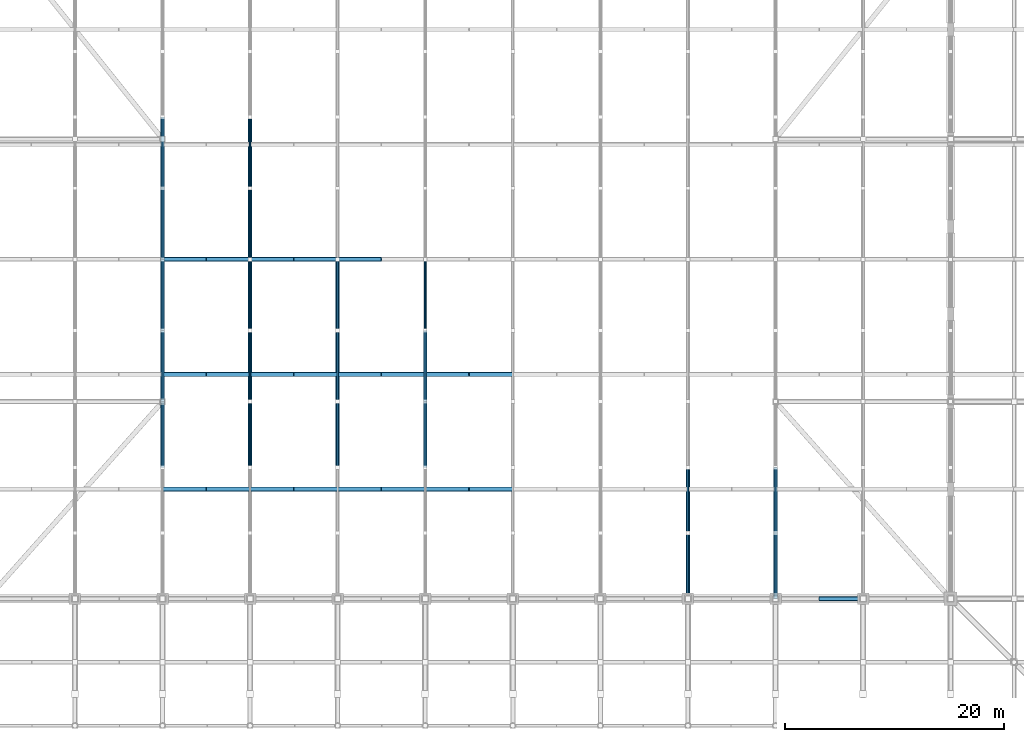
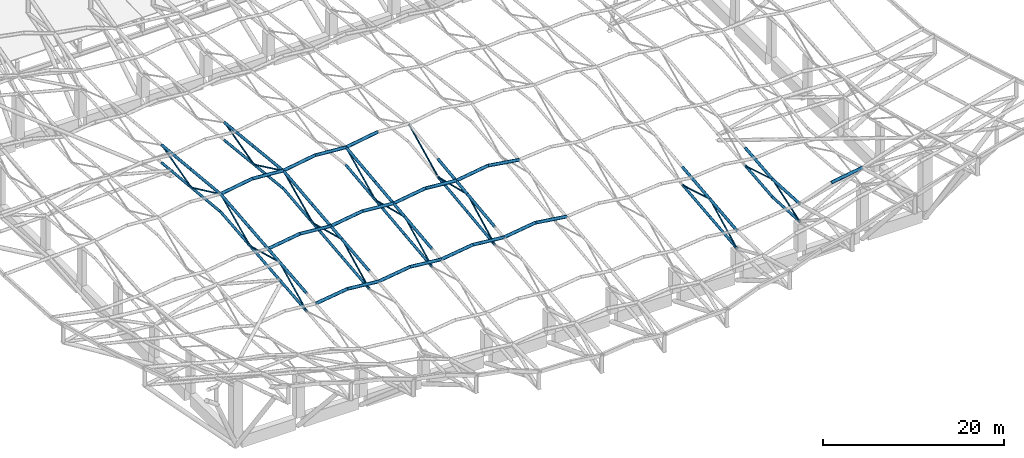
# One storey, part 7 of 75: 80 members.
"""IFC4 building model written with IfcOpenShell, lengths in metres."""

from ifc_helpers import new_model, si_unit, direction, frame, origin, origin_2d, place, context, subcontext, project, spatial, hollow_rectangle, hollow_circle, extrude, material, material_profile, profile_set, type_object, element, save


model = new_model("IFC4")

# Units and contexts
model_context = context("Model", 3, precision=1e-05, world=origin(), true_north=direction((0.0, 1.0)))
body_context = subcontext(model_context, "Body", "Model", "MODEL_VIEW")
ifc_project = project(units=[si_unit("LENGTHUNIT", "METRE"), si_unit("AREAUNIT", "SQUARE_METRE"), si_unit("VOLUMEUNIT", "CUBIC_METRE"), si_unit("PLANEANGLEUNIT", "RADIAN"), si_unit("MASSUNIT", "GRAM", prefix="KILO")], contexts=[model_context])

# Site, building, storey
site_placement = place(None, origin())
site = spatial("IfcSite", under=ifc_project, at=site_placement, CompositionType="ELEMENT")
building_placement = place(site_placement, origin())
building = spatial("IfcBuilding", under=site, at=building_placement, Name="Khorjan Park Terminus", CompositionType="ELEMENT")
storey_placement = place(building_placement, frame((0.0, 0.0, 16.2)))
storey = spatial("IfcBuildingStorey", under=building, at=storey_placement, Name="L03", CompositionType="ELEMENT", Elevation=16.2)

# Members
ifc_material = material(Name="Steel S355", Category="steel")
ifc_material_profile_1 = material_profile(ifc_material, hollow_circle(Radius=0.0969, WallThickness=0.01, at=origin_2d()), Name="CHS 193.7x10")
ifc_profile_set_1 = profile_set([ifc_material_profile_1], Name="Steel S355")
member_type_1 = type_object("IfcMemberType", Name="MB-BR-194", PredefinedType="BRACE", material=ifc_profile_set_1)
member_1_placement = place(storey_placement, frame((72.0, 38.0, 4.1276), z_axis=(0.0, 0.892179610411, 0.451680797431), x_axis=(-1.0, 0.0, 0.0)))
element("IfcMember", 1, at=member_1_placement, inside=storey, type_object=member_type_1, Name="Upper shell fold space-truss web diagonal (4)", PredefinedType="BRACE", context=body_context, shape_type="SweptSolid", body=[
    extrude(hollow_circle(Radius=0.0969, WallThickness=0.01, at=origin_2d()), origin(), (0.0, 0.0, 1.0), 6.7251),
])
member_2_placement = place(storey_placement, frame((72.0, 44.0, 7.1652), z_axis=(0.0, 0.967115768639, -0.254336568448), x_axis=(-1.0, 0.0, 0.0)))
element("IfcMember", 2, at=member_2_placement, inside=storey, type_object=member_type_1, Name="Upper shell fold space-truss web diagonal (4)", PredefinedType="BRACE", context=body_context, shape_type="SweptSolid", body=[
    extrude(hollow_circle(Radius=0.0969, WallThickness=0.01, at=origin_2d()), origin(), (0.0, 0.0, 1.0), 6.721),
])
for number, where, z_axis, x_axis, name in (
    (3, (72.0, 50.5, 5.4558), (0.0, 0.903105121336, 0.429419538233), (-1.0, 0.0, 0.0), "Upper shell fold space-truss web diagonal (4)"),
    (4, (72.0, 57.0, 8.5465), (0.0, 0.903105121336, -0.429419538233), (-1.0, 0.0, 0.0), "Upper shell fold space-truss web diagonal (4)"),
):
    element("IfcMember", number, at=place(storey_placement, frame(where, z_axis=z_axis, x_axis=x_axis)), inside=storey, type_object=member_type_1, Name=name, PredefinedType="BRACE", context=body_context, shape_type="SweptSolid", body=[
        extrude(hollow_circle(Radius=0.0969, WallThickness=0.01, at=origin_2d()), origin(), (0.0, 0.0, 1.0), 7.1974),
    ])
member_3_placement = place(storey_placement, frame((72.0, 63.5, 5.4558), z_axis=(0.0, 0.967115768639, 0.254336568448), x_axis=(-1.0, 0.0, 0.0)))
element("IfcMember", 5, at=member_3_placement, inside=storey, type_object=member_type_1, Name="Upper shell fold space-truss web diagonal (4)", PredefinedType="BRACE", context=body_context, shape_type="SweptSolid", body=[
    extrude(hollow_circle(Radius=0.0969, WallThickness=0.01, at=origin_2d()), origin(), (0.0, 0.0, 1.0), 6.721),
])
member_4_placement = place(storey_placement, frame((88.0, 38.0, 4.5148), z_axis=(0.0, 0.88625355796, 0.463200422068), x_axis=(-1.0, 0.0, 0.0)))
element("IfcMember", 6, at=member_4_placement, inside=storey, type_object=member_type_1, Name="Upper shell fold space-truss web diagonal (6)", PredefinedType="BRACE", context=body_context, shape_type="SweptSolid", body=[
    extrude(hollow_circle(Radius=0.0969, WallThickness=0.01, at=origin_2d()), origin(), (0.0, 0.0, 1.0), 6.7701),
])
member_5_placement = place(storey_placement, frame((88.0, 44.0, 7.6507), z_axis=(0.0, 0.970921200825, -0.239399293625), x_axis=(-1.0, 0.0, 0.0)))
element("IfcMember", 7, at=member_5_placement, inside=storey, type_object=member_type_1, Name="Upper shell fold space-truss web diagonal (6)", PredefinedType="BRACE", context=body_context, shape_type="SweptSolid", body=[
    extrude(hollow_circle(Radius=0.0969, WallThickness=0.01, at=origin_2d()), origin(), (0.0, 0.0, 1.0), 6.6947),
])
member_6_placement = place(storey_placement, frame((88.0, 50.5, 6.048), z_axis=(0.0, 0.897318326969, 0.441383982588), x_axis=(-1.0, 0.0, 0.0)))
element("IfcMember", 8, at=member_6_placement, inside=storey, type_object=member_type_1, Name="Upper shell fold space-truss web diagonal (6)", PredefinedType="BRACE", context=body_context, shape_type="SweptSolid", body=[
    extrude(hollow_circle(Radius=0.0969, WallThickness=0.01, at=origin_2d()), origin(), (0.0, 0.0, 1.0), 7.2438),
])
member_7_placement = place(storey_placement, frame((120.0, 26.0, 3.6958), z_axis=(0.0, 0.946295848033, 0.32330197648), x_axis=(-1.0, 0.0, 0.0)))
element("IfcMember", 9, at=member_7_placement, inside=storey, type_object=member_type_1, Name="Upper shell fold space-truss web diagonal (10)", PredefinedType="BRACE", context=body_context, shape_type="SweptSolid", body=[
    extrude(hollow_circle(Radius=0.0969, WallThickness=0.01, at=origin_2d()), origin(), (0.0, 0.0, 1.0), 6.3405),
])
member_8_placement = place(storey_placement, frame((120.0, 32.0, 5.7457), z_axis=(0.0, 0.957315382984, -0.289045424636), x_axis=(-1.0, 0.0, 0.0)))
element("IfcMember", 10, at=member_8_placement, inside=storey, type_object=member_type_1, Name="Upper shell fold space-truss web diagonal (10)", PredefinedType="BRACE", context=body_context, shape_type="SweptSolid", body=[
    extrude(hollow_circle(Radius=0.0969, WallThickness=0.01, at=origin_2d()), origin(), (0.0, 0.0, 1.0), 6.2675),
])
ifc_material_profile_2 = material_profile(ifc_material, hollow_rectangle(XDim=0.15, YDim=0.15, WallThickness=0.01, InnerFilletRadius=0.01, OuterFilletRadius=0.02, at=origin_2d()), Name="SHS 150x150x10")
ifc_profile_set_2 = profile_set([ifc_material_profile_2], Name="Steel S355")
member_type_2 = type_object("IfcMemberType", Name="MB-BR-SHS150", PredefinedType="BRACE", material=ifc_profile_set_2)
member_9_placement = place(storey_placement, frame((64.0, 38.0, 3.9341), z_axis=(0.0, 0.895124297915, 0.445816656577), x_axis=(-1.0, 0.0, 0.0)))
element("IfcMember", 11, at=member_9_placement, inside=storey, type_object=member_type_2, Name="Upper shell fold space-truss web diagonal (3)", PredefinedType="BRACE", context=body_context, shape_type="SweptSolid", body=[
    extrude(hollow_rectangle(XDim=0.15, YDim=0.15, WallThickness=0.01, InnerFilletRadius=0.01, OuterFilletRadius=0.02, at=origin_2d()), origin(), (0.0, 0.0, 1.0), 6.703),
])
member_10_placement = place(storey_placement, frame((64.0, 44.0, 6.9224), z_axis=(0.0, 0.965140772781, -0.261731329259), x_axis=(-1.0, 0.0, 0.0)))
element("IfcMember", 12, at=member_10_placement, inside=storey, type_object=member_type_2, Name="Upper shell fold space-truss web diagonal (3)", PredefinedType="BRACE", context=body_context, shape_type="SweptSolid", body=[
    extrude(hollow_rectangle(XDim=0.15, YDim=0.15, WallThickness=0.01, InnerFilletRadius=0.01, OuterFilletRadius=0.02, at=origin_2d()), origin(), (0.0, 0.0, 1.0), 6.7348),
])
for number, where, z_axis, x_axis, name in (
    (13, (64.0, 50.5, 5.1597), (0.0, 0.905965812487, 0.423350855207), (-1.0, 0.0, 0.0), "Upper shell fold space-truss web diagonal (3)"),
    (14, (64.0, 57.0, 8.1971), (0.0, 0.905965812487, -0.423350855207), (-1.0, 0.0, 0.0), "Upper shell fold space-truss web diagonal (3)"),
):
    element("IfcMember", number, at=place(storey_placement, frame(where, z_axis=z_axis, x_axis=x_axis)), inside=storey, type_object=member_type_2, Name=name, PredefinedType="BRACE", context=body_context, shape_type="SweptSolid", body=[
        extrude(hollow_rectangle(XDim=0.15, YDim=0.15, WallThickness=0.01, InnerFilletRadius=0.01, OuterFilletRadius=0.02, at=origin_2d()), origin(), (0.0, 0.0, 1.0), 7.1747),
    ])
member_11_placement = place(storey_placement, frame((64.0, 63.5, 5.1597), z_axis=(0.0, 0.965140772781, 0.261731329259), x_axis=(-1.0, 0.0, 0.0)))
element("IfcMember", 15, at=member_11_placement, inside=storey, type_object=member_type_2, Name="Upper shell fold space-truss web diagonal (3)", PredefinedType="BRACE", context=body_context, shape_type="SweptSolid", body=[
    extrude(hollow_rectangle(XDim=0.15, YDim=0.15, WallThickness=0.01, InnerFilletRadius=0.01, OuterFilletRadius=0.02, at=origin_2d()), origin(), (0.0, 0.0, 1.0), 6.7348),
])
member_12_placement = place(storey_placement, frame((80.0, 38.0, 4.3212), z_axis=(0.0, 0.889228378973, 0.457463539563), x_axis=(-1.0, 0.0, 0.0)))
element("IfcMember", 16, at=member_12_placement, inside=storey, type_object=member_type_2, Name="Upper shell fold space-truss web diagonal (5)", PredefinedType="BRACE", context=body_context, shape_type="SweptSolid", body=[
    extrude(hollow_rectangle(XDim=0.15, YDim=0.15, WallThickness=0.01, InnerFilletRadius=0.01, OuterFilletRadius=0.02, at=origin_2d()), origin(), (0.0, 0.0, 1.0), 6.7474),
])
member_13_placement = place(storey_placement, frame((80.0, 44.0, 7.4079), z_axis=(0.0, 0.969045313356, -0.246882929064), x_axis=(-1.0, 0.0, 0.0)))
element("IfcMember", 17, at=member_13_placement, inside=storey, type_object=member_type_2, Name="Upper shell fold space-truss web diagonal (5)", PredefinedType="BRACE", context=body_context, shape_type="SweptSolid", body=[
    extrude(hollow_rectangle(XDim=0.15, YDim=0.15, WallThickness=0.01, InnerFilletRadius=0.01, OuterFilletRadius=0.02, at=origin_2d()), origin(), (0.0, 0.0, 1.0), 6.7076),
])
member_14_placement = place(storey_placement, frame((80.0, 50.5, 5.7519), z_axis=(0.0, 0.90022230075, 0.435430602086), x_axis=(-1.0, 0.0, 0.0)))
element("IfcMember", 18, at=member_14_placement, inside=storey, type_object=member_type_2, Name="Upper shell fold space-truss web diagonal (5)", PredefinedType="BRACE", context=body_context, shape_type="SweptSolid", body=[
    extrude(hollow_rectangle(XDim=0.15, YDim=0.15, WallThickness=0.01, InnerFilletRadius=0.01, OuterFilletRadius=0.02, at=origin_2d()), origin(), (0.0, 0.0, 1.0), 7.2204),
])
member_15_placement = place(storey_placement, frame((112.0, 26.0, 2.8526), z_axis=(0.0, 0.892185602554, 0.451668961293), x_axis=(-1.0, 0.0, 0.0)))
element("IfcMember", 19, at=member_15_placement, inside=storey, type_object=member_type_2, Name="Upper shell fold space-truss web diagonal (9)", PredefinedType="BRACE", context=body_context, shape_type="SweptSolid", body=[
    extrude(hollow_rectangle(XDim=0.15, YDim=0.15, WallThickness=0.01, InnerFilletRadius=0.01, OuterFilletRadius=0.02, at=origin_2d()), origin(), (0.0, 0.0, 1.0), 6.7251),
])
member_16_placement = place(storey_placement, frame((112.0, 32.0, 5.8901), z_axis=(0.0, 0.95946093439, -0.281841649477), x_axis=(-1.0, 0.0, 0.0)))
element("IfcMember", 20, at=member_16_placement, inside=storey, type_object=member_type_2, Name="Upper shell fold space-truss web diagonal (9)", PredefinedType="BRACE", context=body_context, shape_type="SweptSolid", body=[
    extrude(hollow_rectangle(XDim=0.15, YDim=0.15, WallThickness=0.01, InnerFilletRadius=0.01, OuterFilletRadius=0.02, at=origin_2d()), origin(), (0.0, 0.0, 1.0), 6.2535),
])
ifc_material_profile_3 = material_profile(ifc_material, hollow_circle(Radius=0.162, WallThickness=0.0125, at=origin_2d()), Name="CHS 323.9x12.5")
ifc_profile_set_3 = profile_set([ifc_material_profile_3], Name="Steel S355")
member_type_3 = type_object("IfcMemberType", Name="MB-CH-324", PredefinedType="CHORD", material=ifc_profile_set_3)
member_17_placement = place(storey_placement, frame((64.0, 38.0, 3.9341), z_axis=(0.0, 0.995227482841, 0.097582054693), x_axis=(-1.0, 0.0, 0.0)))
element("IfcMember", 21, at=member_17_placement, inside=storey, type_object=member_type_3, Name="Upper shell fold space-truss bottom chord (3)", PredefinedType="CHORD", context=body_context, shape_type="SweptSolid", body=[
    extrude(hollow_circle(Radius=0.162, WallThickness=0.0125, at=origin_2d()), origin(), (0.0, 0.0, 1.0), 6.0288),
])
for number, where, z_axis, x_axis, name in (
    (22, (64.0, 44.0, 4.5224), (0.0, 0.995227854576, 0.097578263342), (-1.0, 0.0, 0.0), "Upper shell fold space-truss bottom chord (3)"),
    (23, (64.0, 50.5, 5.1597), (0.0, 0.995226367552, 0.09759342872), (-1.0, 0.0, 0.0), "Upper shell fold space-truss bottom chord (3)"),
    (24, (64.0, 57.0, 5.7971), (0.0, 0.995226367552, -0.09759342872), (-1.0, 0.0, 0.0), "Upper shell fold space-truss bottom chord (3)"),
    (25, (64.0, 63.5, 5.1597), (0.0, 0.995227854576, -0.097578263342), (-1.0, 0.0, 0.0), "Upper shell fold space-truss bottom chord (3)"),
):
    element("IfcMember", number, at=place(storey_placement, frame(where, z_axis=z_axis, x_axis=x_axis)), inside=storey, type_object=member_type_3, Name=name, PredefinedType="CHORD", context=body_context, shape_type="SweptSolid", body=[
        extrude(hollow_circle(Radius=0.162, WallThickness=0.0125, at=origin_2d()), origin(), (0.0, 0.0, 1.0), 6.5312),
    ])
member_18_placement = place(storey_placement, frame((72.0, 38.0, 4.1276), z_axis=(0.0, 0.994401073252, 0.105671687384), x_axis=(-1.0, 0.0, 0.0)))
element("IfcMember", 26, at=member_18_placement, inside=storey, type_object=member_type_3, Name="Upper shell fold space-truss bottom chord (4)", PredefinedType="CHORD", context=body_context, shape_type="SweptSolid", body=[
    extrude(hollow_circle(Radius=0.162, WallThickness=0.0125, at=origin_2d()), origin(), (0.0, 0.0, 1.0), 6.0338),
])
for number, where, z_axis, x_axis, name in (
    (27, (72.0, 44.0, 4.7652), (0.0, 0.994403216472, 0.105651517122), (-1.0, 0.0, 0.0), "Upper shell fold space-truss bottom chord (4)"),
    (28, (72.0, 50.5, 5.4558), (0.0, 0.994401609095, 0.105666644831), (-1.0, 0.0, 0.0), "Upper shell fold space-truss bottom chord (4)"),
    (29, (72.0, 57.0, 6.1465), (0.0, 0.994401609095, -0.105666644831), (-1.0, 0.0, 0.0), "Upper shell fold space-truss bottom chord (4)"),
    (30, (72.0, 63.5, 5.4558), (0.0, 0.994403216472, -0.105651517122), (-1.0, 0.0, 0.0), "Upper shell fold space-truss bottom chord (4)"),
):
    element("IfcMember", number, at=place(storey_placement, frame(where, z_axis=z_axis, x_axis=x_axis)), inside=storey, type_object=member_type_3, Name=name, PredefinedType="CHORD", context=body_context, shape_type="SweptSolid", body=[
        extrude(hollow_circle(Radius=0.162, WallThickness=0.0125, at=origin_2d()), origin(), (0.0, 0.0, 1.0), 6.5366),
    ])
member_19_placement = place(storey_placement, frame((80.0, 38.0, 4.3212), z_axis=(0.0, 0.993514246355, 0.113707705495), x_axis=(-1.0, 0.0, 0.0)))
element("IfcMember", 31, at=member_19_placement, inside=storey, type_object=member_type_3, Name="Upper shell fold space-truss bottom chord (5)", PredefinedType="CHORD", context=body_context, shape_type="SweptSolid", body=[
    extrude(hollow_circle(Radius=0.162, WallThickness=0.0125, at=origin_2d()), origin(), (0.0, 0.0, 1.0), 6.0392),
])
for number, where, z_axis, x_axis, name in (
    (32, (80.0, 44.0, 5.0079), (0.0, 0.993512951244, 0.113719020881), (-1.0, 0.0, 0.0), "Upper shell fold space-truss bottom chord (5)"),
    (33, (80.0, 50.5, 5.7519), (0.0, 0.993512951244, 0.113719020881), (-1.0, 0.0, 0.0), "Upper shell fold space-truss bottom chord (5)"),
):
    element("IfcMember", number, at=place(storey_placement, frame(where, z_axis=z_axis, x_axis=x_axis)), inside=storey, type_object=member_type_3, Name=name, PredefinedType="CHORD", context=body_context, shape_type="SweptSolid", body=[
        extrude(hollow_circle(Radius=0.162, WallThickness=0.0125, at=origin_2d()), origin(), (0.0, 0.0, 1.0), 6.5424),
    ])
member_20_placement = place(storey_placement, frame((88.0, 38.0, 4.5148), z_axis=(0.0, 0.992562298474, 0.121737765908), x_axis=(-1.0, 0.0, 0.0)))
element("IfcMember", 34, at=member_20_placement, inside=storey, type_object=member_type_3, Name="Upper shell fold space-truss bottom chord (6)", PredefinedType="CHORD", context=body_context, shape_type="SweptSolid", body=[
    extrude(hollow_circle(Radius=0.162, WallThickness=0.0125, at=origin_2d()), origin(), (0.0, 0.0, 1.0), 6.045),
])
member_21_placement = place(storey_placement, frame((88.0, 44.0, 5.2507), z_axis=(0.0, 0.992560914562, 0.121749048797), x_axis=(-1.0, 0.0, 0.0)))
element("IfcMember", 35, at=member_21_placement, inside=storey, type_object=member_type_3, Name="Upper shell fold space-truss bottom chord (6)", PredefinedType="CHORD", context=body_context, shape_type="SweptSolid", body=[
    extrude(hollow_circle(Radius=0.162, WallThickness=0.0125, at=origin_2d()), origin(), (0.0, 0.0, 1.0), 6.5487),
])
for number, where, z_axis, x_axis, name in (
    (36, (112.0, 26.0, 2.8526), (0.0, 0.994402814649, 0.105655299056), (-1.0, 0.0, 0.0), "Upper shell fold space-truss bottom chord (9)"),
    (37, (112.0, 32.0, 3.4901), (0.0, 0.994402814649, 0.105655299056), (-1.0, 0.0, 0.0), "Upper shell fold space-truss bottom chord (9)"),
):
    element("IfcMember", number, at=place(storey_placement, frame(where, z_axis=z_axis, x_axis=x_axis)), inside=storey, type_object=member_type_3, Name=name, PredefinedType="CHORD", context=body_context, shape_type="SweptSolid", body=[
        extrude(hollow_circle(Radius=0.162, WallThickness=0.0125, at=origin_2d()), origin(), (0.0, 0.0, 1.0), 6.0338),
    ])
member_22_placement = place(storey_placement, frame((120.0, 26.0, 3.6958), z_axis=(0.0, 0.998301973504, -0.058250920154), x_axis=(-1.0, 0.0, 0.0)))
element("IfcMember", 38, at=member_22_placement, inside=storey, type_object=member_type_3, Name="Upper shell fold space-truss bottom chord (10)", PredefinedType="CHORD", context=body_context, shape_type="SweptSolid", body=[
    extrude(hollow_circle(Radius=0.162, WallThickness=0.0125, at=origin_2d()), origin(), (0.0, 0.0, 1.0), 6.0102),
])
member_23_placement = place(storey_placement, frame((120.0, 32.0, 3.3457), z_axis=(0.0, 0.995225871827, 0.097598483831), x_axis=(-1.0, 0.0, 0.0)))
element("IfcMember", 39, at=member_23_placement, inside=storey, type_object=member_type_3, Name="Upper shell fold space-truss bottom chord (10)", PredefinedType="CHORD", context=body_context, shape_type="SweptSolid", body=[
    extrude(hollow_circle(Radius=0.162, WallThickness=0.0125, at=origin_2d()), origin(), (0.0, 0.0, 1.0), 6.0288),
])
ifc_material_profile_4 = material_profile(ifc_material, hollow_circle(Radius=0.1778, WallThickness=0.016, at=origin_2d()), Name="CHS 355.6x16")
ifc_profile_set_4 = profile_set([ifc_material_profile_4], Name="Steel S355")
member_type_4 = type_object("IfcMemberType", Name="MB-CH-356", PredefinedType="CHORD", material=ifc_profile_set_4)
member_24_placement = place(storey_placement, frame((64.0, 38.0, 6.3341), z_axis=(0.0, 0.995227482841, 0.097582054693), x_axis=(-1.0, 0.0, 0.0)))
element("IfcMember", 40, at=member_24_placement, inside=storey, type_object=member_type_4, Name="Upper shell fold space-truss top chord (3)", PredefinedType="CHORD", context=body_context, shape_type="SweptSolid", body=[
    extrude(hollow_circle(Radius=0.1778, WallThickness=0.016, at=origin_2d()), origin(), (0.0, 0.0, 1.0), 6.0288),
])
for number, where, z_axis, x_axis, name in (
    (41, (64.0, 44.0, 6.9224), (0.0, 0.995227854576, 0.097578263342), (-1.0, 0.0, 0.0), "Upper shell fold space-truss top chord (3)"),
    (42, (64.0, 50.5, 7.5597), (0.0, 0.995226367552, 0.09759342872), (-1.0, 0.0, 0.0), "Upper shell fold space-truss top chord (3)"),
    (43, (64.0, 57.0, 8.1971), (0.0, 0.995226367552, -0.09759342872), (-1.0, 0.0, 0.0), "Upper shell fold space-truss top chord (3)"),
    (44, (64.0, 63.5, 7.5597), (0.0, 0.995227854576, -0.097578263342), (-1.0, 0.0, 0.0), "Upper shell fold space-truss top chord (3)"),
):
    element("IfcMember", number, at=place(storey_placement, frame(where, z_axis=z_axis, x_axis=x_axis)), inside=storey, type_object=member_type_4, Name=name, PredefinedType="CHORD", context=body_context, shape_type="SweptSolid", body=[
        extrude(hollow_circle(Radius=0.1778, WallThickness=0.016, at=origin_2d()), origin(), (0.0, 0.0, 1.0), 6.5312),
    ])
member_25_placement = place(storey_placement, frame((72.0, 38.0, 6.5276), z_axis=(0.0, 0.994401073252, 0.105671687384), x_axis=(-1.0, 0.0, 0.0)))
element("IfcMember", 45, at=member_25_placement, inside=storey, type_object=member_type_4, Name="Upper shell fold space-truss top chord (4)", PredefinedType="CHORD", context=body_context, shape_type="SweptSolid", body=[
    extrude(hollow_circle(Radius=0.1778, WallThickness=0.016, at=origin_2d()), origin(), (0.0, 0.0, 1.0), 6.0338),
])
for number, where, z_axis, x_axis, name in (
    (46, (72.0, 44.0, 7.1652), (0.0, 0.994403216472, 0.105651517122), (-1.0, 0.0, 0.0), "Upper shell fold space-truss top chord (4)"),
    (47, (72.0, 50.5, 7.8558), (0.0, 0.994401609095, 0.105666644831), (-1.0, 0.0, 0.0), "Upper shell fold space-truss top chord (4)"),
    (48, (72.0, 57.0, 8.5465), (0.0, 0.994401609095, -0.105666644831), (-1.0, 0.0, 0.0), "Upper shell fold space-truss top chord (4)"),
    (49, (72.0, 63.5, 7.8558), (0.0, 0.994403216472, -0.105651517122), (-1.0, 0.0, 0.0), "Upper shell fold space-truss top chord (4)"),
):
    element("IfcMember", number, at=place(storey_placement, frame(where, z_axis=z_axis, x_axis=x_axis)), inside=storey, type_object=member_type_4, Name=name, PredefinedType="CHORD", context=body_context, shape_type="SweptSolid", body=[
        extrude(hollow_circle(Radius=0.1778, WallThickness=0.016, at=origin_2d()), origin(), (0.0, 0.0, 1.0), 6.5366),
    ])
member_26_placement = place(storey_placement, frame((80.0, 38.0, 6.7212), z_axis=(0.0, 0.993514246355, 0.113707705495), x_axis=(-1.0, 0.0, 0.0)))
element("IfcMember", 50, at=member_26_placement, inside=storey, type_object=member_type_4, Name="Upper shell fold space-truss top chord (5)", PredefinedType="CHORD", context=body_context, shape_type="SweptSolid", body=[
    extrude(hollow_circle(Radius=0.1778, WallThickness=0.016, at=origin_2d()), origin(), (0.0, 0.0, 1.0), 6.0392),
])
for number, where, z_axis, x_axis, name in (
    (51, (80.0, 44.0, 7.4079), (0.0, 0.993512951244, 0.113719020881), (-1.0, 0.0, 0.0), "Upper shell fold space-truss top chord (5)"),
    (52, (80.0, 50.5, 8.1519), (0.0, 0.993512951244, 0.113719020881), (-1.0, 0.0, 0.0), "Upper shell fold space-truss top chord (5)"),
):
    element("IfcMember", number, at=place(storey_placement, frame(where, z_axis=z_axis, x_axis=x_axis)), inside=storey, type_object=member_type_4, Name=name, PredefinedType="CHORD", context=body_context, shape_type="SweptSolid", body=[
        extrude(hollow_circle(Radius=0.1778, WallThickness=0.016, at=origin_2d()), origin(), (0.0, 0.0, 1.0), 6.5424),
    ])
member_27_placement = place(storey_placement, frame((88.0, 38.0, 6.9148), z_axis=(0.0, 0.992562298474, 0.121737765908), x_axis=(-1.0, 0.0, 0.0)))
element("IfcMember", 53, at=member_27_placement, inside=storey, type_object=member_type_4, Name="Upper shell fold space-truss top chord (6)", PredefinedType="CHORD", context=body_context, shape_type="SweptSolid", body=[
    extrude(hollow_circle(Radius=0.1778, WallThickness=0.016, at=origin_2d()), origin(), (0.0, 0.0, 1.0), 6.045),
])
member_28_placement = place(storey_placement, frame((88.0, 44.0, 7.6507), z_axis=(0.0, 0.992560914562, 0.121749048797), x_axis=(-1.0, 0.0, 0.0)))
element("IfcMember", 54, at=member_28_placement, inside=storey, type_object=member_type_4, Name="Upper shell fold space-truss top chord (6)", PredefinedType="CHORD", context=body_context, shape_type="SweptSolid", body=[
    extrude(hollow_circle(Radius=0.1778, WallThickness=0.016, at=origin_2d()), origin(), (0.0, 0.0, 1.0), 6.5487),
])
for number, where, z_axis, x_axis, name in (
    (55, (112.0, 26.0, 5.2526), (0.0, 0.994402814649, 0.105655299056), (-1.0, 0.0, 0.0), "Upper shell fold space-truss top chord (9)"),
    (56, (112.0, 32.0, 5.8901), (0.0, 0.994402814649, 0.105655299056), (-1.0, 0.0, 0.0), "Upper shell fold space-truss top chord (9)"),
):
    element("IfcMember", number, at=place(storey_placement, frame(where, z_axis=z_axis, x_axis=x_axis)), inside=storey, type_object=member_type_4, Name=name, PredefinedType="CHORD", context=body_context, shape_type="SweptSolid", body=[
        extrude(hollow_circle(Radius=0.1778, WallThickness=0.016, at=origin_2d()), origin(), (0.0, 0.0, 1.0), 6.0338),
    ])
member_29_placement = place(storey_placement, frame((120.0, 26.0, 6.0958), z_axis=(0.0, 0.998301973504, -0.058250920154), x_axis=(-1.0, 0.0, 0.0)))
element("IfcMember", 57, at=member_29_placement, inside=storey, type_object=member_type_4, Name="Upper shell fold space-truss top chord (10)", PredefinedType="CHORD", context=body_context, shape_type="SweptSolid", body=[
    extrude(hollow_circle(Radius=0.1778, WallThickness=0.016, at=origin_2d()), origin(), (0.0, 0.0, 1.0), 6.0102),
])
member_30_placement = place(storey_placement, frame((120.0, 32.0, 5.7457), z_axis=(0.0, 0.995225871827, 0.097598483831), x_axis=(-1.0, 0.0, 0.0)))
element("IfcMember", 58, at=member_30_placement, inside=storey, type_object=member_type_4, Name="Upper shell fold space-truss top chord (10)", PredefinedType="CHORD", context=body_context, shape_type="SweptSolid", body=[
    extrude(hollow_circle(Radius=0.1778, WallThickness=0.016, at=origin_2d()), origin(), (0.0, 0.0, 1.0), 6.0288),
])
ifc_material_profile_5 = material_profile(ifc_material, hollow_circle(Radius=0.2032, WallThickness=0.016, at=origin_2d()), Name="CHS 406.4x16")
ifc_profile_set_5 = profile_set([ifc_material_profile_5], Name="Steel S355")
member_type_5 = type_object("IfcMemberType", Name="MB-CH-406", PredefinedType="CHORD", material=ifc_profile_set_5)
member_31_placement = place(storey_placement, frame((64.0, 36.0, 6.1779), z_axis=(0.990150474603, 0.0, 0.140007277109), x_axis=(0.0, 1.0, 0.0)))
element("IfcMember", 59, at=member_31_placement, inside=storey, type_object=member_type_5, Name="Upper shell fold rib chord (95)", PredefinedType="CHORD", context=body_context, shape_type="SweptSolid", body=[
    extrude(hollow_circle(Radius=0.2032, WallThickness=0.016, at=origin_2d()), origin(), (0.0, 0.0, 1.0), 4.0398),
])
member_32_placement = place(storey_placement, frame((68.0, 36.0, 6.7435), z_axis=(0.995318870818, 0.0, -0.096645462356), x_axis=(0.0, 1.0, 0.0)))
element("IfcMember", 60, at=member_32_placement, inside=storey, type_object=member_type_5, Name="Upper shell fold rib chord (96)", PredefinedType="CHORD", context=body_context, shape_type="SweptSolid", body=[
    extrude(hollow_circle(Radius=0.2032, WallThickness=0.016, at=origin_2d()), origin(), (0.0, 0.0, 1.0), 4.0188),
])
member_33_placement = place(storey_placement, frame((72.0, 36.0, 6.3551), z_axis=(0.990150474603, 0.0, 0.140007277109), x_axis=(0.0, 1.0, 0.0)))
element("IfcMember", 61, at=member_33_placement, inside=storey, type_object=member_type_5, Name="Upper shell fold rib chord (97)", PredefinedType="CHORD", context=body_context, shape_type="SweptSolid", body=[
    extrude(hollow_circle(Radius=0.2032, WallThickness=0.016, at=origin_2d()), origin(), (0.0, 0.0, 1.0), 4.0398),
])
member_34_placement = place(storey_placement, frame((76.0, 36.0, 6.9207), z_axis=(0.995318870818, 0.0, -0.096645462356), x_axis=(0.0, 1.0, 0.0)))
element("IfcMember", 62, at=member_34_placement, inside=storey, type_object=member_type_5, Name="Upper shell fold rib chord (98)", PredefinedType="CHORD", context=body_context, shape_type="SweptSolid", body=[
    extrude(hollow_circle(Radius=0.2032, WallThickness=0.016, at=origin_2d()), origin(), (0.0, 0.0, 1.0), 4.0188),
])
member_35_placement = place(storey_placement, frame((80.0, 36.0, 6.5323), z_axis=(0.990150474603, 0.0, 0.140007277109), x_axis=(0.0, 1.0, 0.0)))
element("IfcMember", 63, at=member_35_placement, inside=storey, type_object=member_type_5, Name="Upper shell fold rib chord (99)", PredefinedType="CHORD", context=body_context, shape_type="SweptSolid", body=[
    extrude(hollow_circle(Radius=0.2032, WallThickness=0.016, at=origin_2d()), origin(), (0.0, 0.0, 1.0), 4.0398),
])
member_36_placement = place(storey_placement, frame((84.0, 36.0, 7.0979), z_axis=(0.995316476949, 0.0, -0.096670112824), x_axis=(0.0, 1.0, 0.0)))
element("IfcMember", 64, at=member_36_placement, inside=storey, type_object=member_type_5, Name="Upper shell fold rib chord (100)", PredefinedType="CHORD", context=body_context, shape_type="SweptSolid", body=[
    extrude(hollow_circle(Radius=0.2032, WallThickness=0.016, at=origin_2d()), origin(), (0.0, 0.0, 1.0), 4.0188),
])
for number, where, z_axis, x_axis, name in (
    (65, (88.0, 36.0, 6.7094), (0.990150474603, 0.0, 0.140007277109), (0.0, 1.0, 0.0), "Upper shell fold rib chord (101)"),
    (66, (92.0, 36.0, 7.275), (0.990150474603, 0.0, -0.140007277109), (0.0, 1.0, 0.0), "Upper shell fold rib chord (102)"),
):
    element("IfcMember", number, at=place(storey_placement, frame(where, z_axis=z_axis, x_axis=x_axis)), inside=storey, type_object=member_type_5, Name=name, PredefinedType="CHORD", context=body_context, shape_type="SweptSolid", body=[
        extrude(hollow_circle(Radius=0.2032, WallThickness=0.016, at=origin_2d()), origin(), (0.0, 0.0, 1.0), 4.0398),
    ])
member_37_placement = place(storey_placement, frame((64.0, 46.5, 7.2075), z_axis=(0.988622353186, 0.0, 0.150418891037), x_axis=(0.0, 1.0, 0.0)))
element("IfcMember", 67, at=member_37_placement, inside=storey, type_object=member_type_5, Name="Upper shell fold rib chord (121)", PredefinedType="CHORD", context=body_context, shape_type="SweptSolid", body=[
    extrude(hollow_circle(Radius=0.2032, WallThickness=0.016, at=origin_2d()), origin(), (0.0, 0.0, 1.0), 4.046),
])
member_38_placement = place(storey_placement, frame((68.0, 46.5, 7.8161), z_axis=(0.996294693349, 0.0, -0.086005139403), x_axis=(0.0, 1.0, 0.0)))
element("IfcMember", 68, at=member_38_placement, inside=storey, type_object=member_type_5, Name="Upper shell fold rib chord (122)", PredefinedType="CHORD", context=body_context, shape_type="SweptSolid", body=[
    extrude(hollow_circle(Radius=0.2032, WallThickness=0.016, at=origin_2d()), origin(), (0.0, 0.0, 1.0), 4.0149),
])
member_39_placement = place(storey_placement, frame((72.0, 46.5, 7.4708), z_axis=(0.988622353186, 0.0, 0.150418891037), x_axis=(0.0, 1.0, 0.0)))
element("IfcMember", 69, at=member_39_placement, inside=storey, type_object=member_type_5, Name="Upper shell fold rib chord (123)", PredefinedType="CHORD", context=body_context, shape_type="SweptSolid", body=[
    extrude(hollow_circle(Radius=0.2032, WallThickness=0.016, at=origin_2d()), origin(), (0.0, 0.0, 1.0), 4.046),
])
member_40_placement = place(storey_placement, frame((76.0, 46.5, 8.0794), z_axis=(0.996294693349, 0.0, -0.086005139403), x_axis=(0.0, 1.0, 0.0)))
element("IfcMember", 70, at=member_40_placement, inside=storey, type_object=member_type_5, Name="Upper shell fold rib chord (124)", PredefinedType="CHORD", context=body_context, shape_type="SweptSolid", body=[
    extrude(hollow_circle(Radius=0.2032, WallThickness=0.016, at=origin_2d()), origin(), (0.0, 0.0, 1.0), 4.0149),
])
member_41_placement = place(storey_placement, frame((80.0, 46.5, 7.7341), z_axis=(0.988622353186, 0.0, 0.150418891037), x_axis=(0.0, 1.0, 0.0)))
element("IfcMember", 71, at=member_41_placement, inside=storey, type_object=member_type_5, Name="Upper shell fold rib chord (125)", PredefinedType="CHORD", context=body_context, shape_type="SweptSolid", body=[
    extrude(hollow_circle(Radius=0.2032, WallThickness=0.016, at=origin_2d()), origin(), (0.0, 0.0, 1.0), 4.046),
])
member_42_placement = place(storey_placement, frame((84.0, 46.5, 8.3427), z_axis=(0.996294693349, 0.0, -0.086005139403), x_axis=(0.0, 1.0, 0.0)))
element("IfcMember", 72, at=member_42_placement, inside=storey, type_object=member_type_5, Name="Upper shell fold rib chord (126)", PredefinedType="CHORD", context=body_context, shape_type="SweptSolid", body=[
    extrude(hollow_circle(Radius=0.2032, WallThickness=0.016, at=origin_2d()), origin(), (0.0, 0.0, 1.0), 4.0149),
])
for number, where, z_axis, x_axis, name in (
    (73, (88.0, 46.5, 7.9974), (0.988622353186, 0.0, 0.150418891037), (0.0, 1.0, 0.0), "Upper shell fold rib chord (127)"),
    (74, (92.0, 46.5, 8.606), (0.988622353186, 0.0, -0.150418891037), (0.0, 1.0, 0.0), "Upper shell fold rib chord (128)"),
):
    element("IfcMember", number, at=place(storey_placement, frame(where, z_axis=z_axis, x_axis=x_axis)), inside=storey, type_object=member_type_5, Name=name, PredefinedType="CHORD", context=body_context, shape_type="SweptSolid", body=[
        extrude(hollow_circle(Radius=0.2032, WallThickness=0.016, at=origin_2d()), origin(), (0.0, 0.0, 1.0), 4.046),
    ])
member_43_placement = place(storey_placement, frame((64.0, 57.0, 8.2371), z_axis=(0.986986239924, 0.0, 0.16080473314), x_axis=(0.0, 1.0, 0.0)))
element("IfcMember", 75, at=member_43_placement, inside=storey, type_object=member_type_5, Name="Upper shell fold rib chord (147)", PredefinedType="CHORD", context=body_context, shape_type="SweptSolid", body=[
    extrude(hollow_circle(Radius=0.2032, WallThickness=0.016, at=origin_2d()), origin(), (0.0, 0.0, 1.0), 4.0527),
])
member_44_placement = place(storey_placement, frame((68.0, 57.0, 8.8888), z_axis=(0.997156385058, 0.0, -0.075360093801), x_axis=(0.0, 1.0, 0.0)))
element("IfcMember", 76, at=member_44_placement, inside=storey, type_object=member_type_5, Name="Upper shell fold rib chord (148)", PredefinedType="CHORD", context=body_context, shape_type="SweptSolid", body=[
    extrude(hollow_circle(Radius=0.2032, WallThickness=0.016, at=origin_2d()), origin(), (0.0, 0.0, 1.0), 4.0114),
])
member_45_placement = place(storey_placement, frame((72.0, 57.0, 8.5865), z_axis=(0.986986239924, 0.0, 0.16080473314), x_axis=(0.0, 1.0, 0.0)))
element("IfcMember", 77, at=member_45_placement, inside=storey, type_object=member_type_5, Name="Upper shell fold rib chord (149)", PredefinedType="CHORD", context=body_context, shape_type="SweptSolid", body=[
    extrude(hollow_circle(Radius=0.2032, WallThickness=0.016, at=origin_2d()), origin(), (0.0, 0.0, 1.0), 4.0527),
])
member_46_placement = place(storey_placement, frame((76.0, 57.0, 9.2382), z_axis=(0.997156385058, 0.0, -0.075360093801), x_axis=(0.0, 1.0, 0.0)))
element("IfcMember", 78, at=member_46_placement, inside=storey, type_object=member_type_5, Name="Upper shell fold rib chord (150)", PredefinedType="CHORD", context=body_context, shape_type="SweptSolid", body=[
    extrude(hollow_circle(Radius=0.2032, WallThickness=0.016, at=origin_2d()), origin(), (0.0, 0.0, 1.0), 4.0114),
])
member_47_placement = place(storey_placement, frame((80.0, 57.0, 8.9359), z_axis=(0.986986239924, 0.0, 0.16080473314), x_axis=(0.0, 1.0, 0.0)))
element("IfcMember", 79, at=member_47_placement, inside=storey, type_object=member_type_5, Name="Upper shell fold rib chord (151)", PredefinedType="CHORD", context=body_context, shape_type="SweptSolid", body=[
    extrude(hollow_circle(Radius=0.2032, WallThickness=0.016, at=origin_2d()), origin(), (0.0, 0.0, 1.0), 4.0527),
])
ifc_material_profile_6 = material_profile(ifc_material, hollow_circle(Radius=0.2032, WallThickness=0.016, at=origin_2d()), Name="CHS 406.4x16")
ifc_profile_set_6 = profile_set([ifc_material_profile_6], Name="Steel S355")
member_type_6 = type_object("IfcMemberType", Name="MB-CHE-406", PredefinedType="CHORD", material=ifc_profile_set_6)
member_48_placement = place(storey_placement, frame((124.0, 26.0, 7.5523), z_axis=(0.987872255403, 0.0, 0.155268821743), x_axis=(0.0, 1.0, 0.0)))
element("IfcMember", 80, at=member_48_placement, inside=storey, type_object=member_type_6, Name="Upper shell fold rib chord (86)", PredefinedType="CHORD", context=body_context, shape_type="SweptSolid", body=[
    extrude(hollow_circle(Radius=0.2032, WallThickness=0.016, at=origin_2d()), origin(), (0.0, 0.0, 1.0), 4.0491),
])

save(model, "model.ifc")
